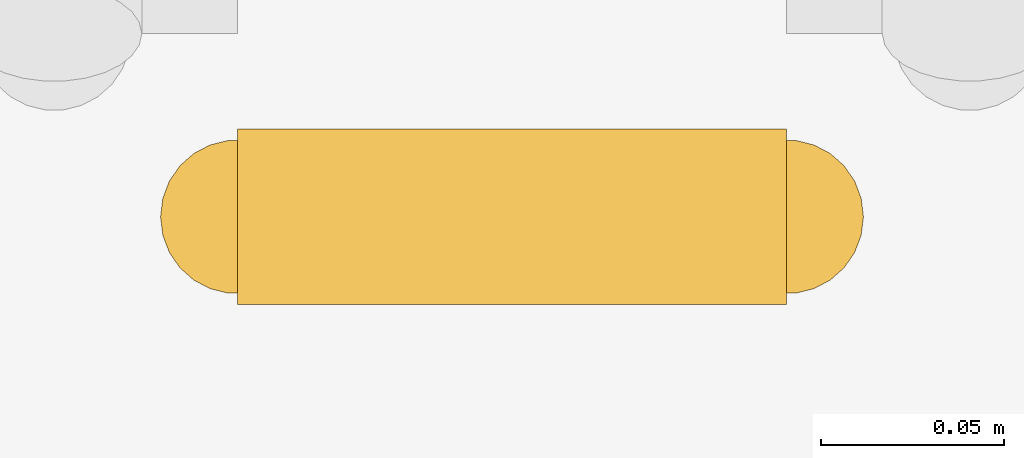
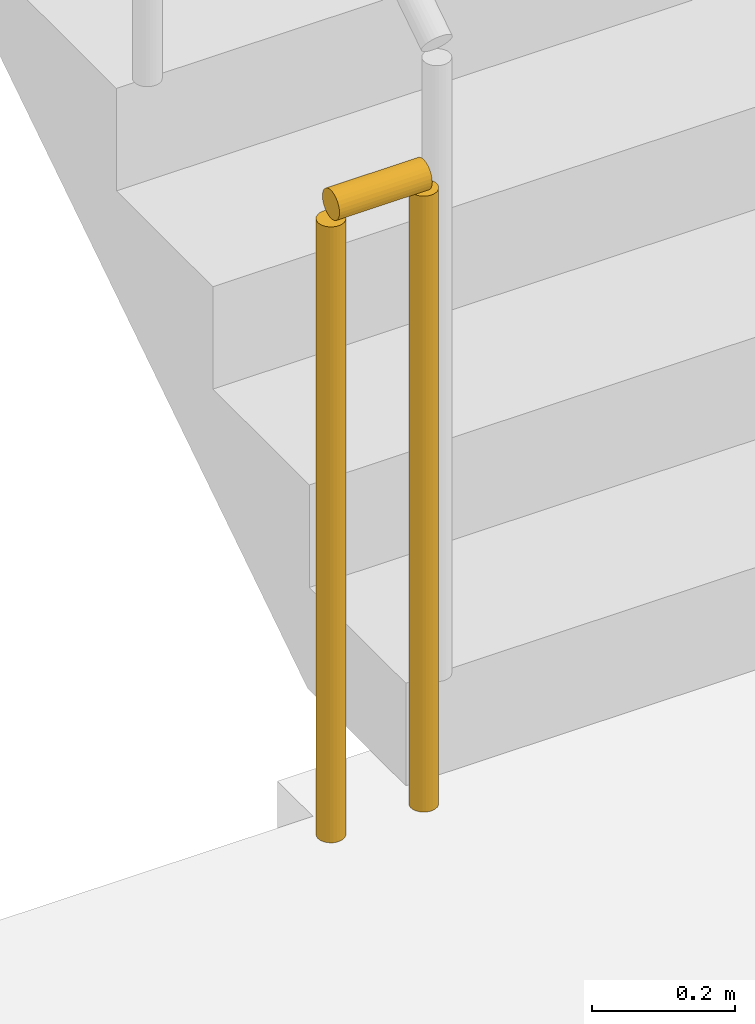
# One storey, part 17 of 20: 1 railing.
"""IFC4 building model written with IfcOpenShell, lengths in metres."""

import ifcopenshell
import ifcopenshell.guid

model = None  # the IFC model being written
_history = None  # IfcOwnerHistory: only IFC2X3 demands one
_inside = {}  # id of a spatial element -> (the spatial element, [elements in it])
_under = {}  # id of a project, library or spatial element -> (it, [spatial elements below it])
_declared = {}  # id of a project -> (the project, [libraries it declares])
_typed = {}  # id of a type object -> (the type object, [elements of that type])
_made_of = {}  # id of a material, layer set ... -> (it, [elements and type objects made of it])


def new_model(schema):
    """Start an empty IFC model of exactly this schema.

    Asked for "IFC4X3", IfcOpenShell would pick the latest addendum, in which some entities
    have other attributes; the version numbers below select the first issue.
    IFC2X3 requires an IfcOwnerHistory on every rooted entity: one is made here for all.
    """
    global model, _history
    if schema == "IFC4X3":
        model = ifcopenshell.file(schema_version=(4, 3, 0, 0))
    else:
        model = ifcopenshell.file(schema=schema)
    _inside.clear()
    _under.clear()
    _declared.clear()
    _typed.clear()
    _made_of.clear()
    _history = None
    if model.schema == "IFC2X3":
        org = make("IfcOrganization", Name="unknown")
        user = make(
            "IfcPersonAndOrganization",
            ThePerson=make("IfcPerson", FamilyName="unknown"),
            TheOrganization=org,
        )
        app = make(
            "IfcApplication",
            ApplicationDeveloper=org,
            Version="unknown",
            ApplicationFullName="unknown",
            ApplicationIdentifier="unknown",
        )
        _history = make(
            "IfcOwnerHistory",
            OwningUser=user,
            OwningApplication=app,
            ChangeAction="ADDED",
            CreationDate=0,
        )
    return model


def make(cls, **values):
    """One entity of the class cls with the attributes given. An attribute that is None is left unset."""
    return model.create_entity(
        cls, **{name: value for name, value in values.items() if value is not None}
    )


def rooted(cls, **values):
    """An entity with a GlobalId (a new one), such as an element, a storey or a relation."""
    return make(cls, GlobalId=ifcopenshell.guid.new(), OwnerHistory=_history, **values)


def si_unit(unit_type, name, prefix=None):
    """IfcSIUnit, for example si_unit("LENGTHUNIT", "METRE", prefix="MILLI")."""
    return make("IfcSIUnit", UnitType=unit_type, Prefix=prefix, Name=name)


def assignment(units):
    """IfcUnitAssignment: the units of a project."""
    return None if units is None else make("IfcUnitAssignment", Units=units)


def point(xyz):
    """IfcCartesianPoint."""
    return None if xyz is None else make("IfcCartesianPoint", Coordinates=xyz)


def direction(xyz):
    """IfcDirection."""
    return None if xyz is None else make("IfcDirection", DirectionRatios=xyz)


def frame(location, z_axis=None, x_axis=None):
    """IfcAxis2Placement3D, a coordinate frame: its origin and axes. An axis left out is left unset."""
    return make(
        "IfcAxis2Placement3D",
        Location=point(location),
        Axis=direction(z_axis),
        RefDirection=direction(x_axis),
    )


def frame_2d(location, x_axis=None):
    """IfcAxis2Placement2D, a coordinate frame in the plane: its origin and x axis."""
    return make(
        "IfcAxis2Placement2D", Location=point(location), RefDirection=direction(x_axis)
    )


def origin():
    """The frame at (0, 0, 0) with its axes left unset."""
    return frame((0.0, 0.0, 0.0))


def origin_2d():
    """The frame at (0, 0) in the plane with its x axis left unset."""
    return frame_2d((0.0, 0.0))


def place(relative_to, where):
    """IfcLocalPlacement: puts the frame where relative to a parent placement (None: the world)."""
    return make(
        "IfcLocalPlacement", PlacementRelTo=relative_to, RelativePlacement=where
    )


def context(
    kind, dimensions, precision=None, world=None, true_north=None, identifier=None
):
    """IfcGeometricRepresentationContext, for example the 3D "Model" context."""
    return make(
        "IfcGeometricRepresentationContext",
        ContextIdentifier=identifier,
        ContextType=kind,
        CoordinateSpaceDimension=dimensions,
        Precision=precision,
        WorldCoordinateSystem=world,
        TrueNorth=true_north,
    )


def subcontext(parent, identifier, kind, view, scale=None):
    """IfcGeometricRepresentationSubContext, for example "Body" below "Model"."""
    return make(
        "IfcGeometricRepresentationSubContext",
        ContextIdentifier=identifier,
        ContextType=kind,
        ParentContext=parent,
        TargetScale=scale,
        TargetView=view,
    )


def project(units=None, contexts=None):
    """IfcProject with its units and contexts."""
    return rooted(
        "IfcProject",
        Name="project",
        RepresentationContexts=contexts,
        UnitsInContext=assignment(units),
    )


def spatial(cls, under=None, at=None, **own):
    """A site, building, storey or space (cls), placed at a placement, below another one or the project."""
    s = rooted(cls, ObjectPlacement=at, **own)
    if under is not None:
        _under.setdefault(under.id(), (under, []))[1].append(s)
    return s


def profile(cls, at=None, kind="AREA", **sizes):
    """A parametric profile (cls). Its sizes go by their IFC names, for example OverallWidth=200.0."""
    return make(cls, ProfileType=kind, Position=at, **sizes)


def circle(**sizes):
    """IfcCircleProfileDef."""
    return profile("IfcCircleProfileDef", **sizes)


def extrude(swept, where, along, depth):
    """IfcExtrudedAreaSolid: the profile swept, set in the frame where, extruded along a direction by depth."""
    return make(
        "IfcExtrudedAreaSolid",
        SweptArea=swept,
        Position=where,
        ExtrudedDirection=direction(along),
        Depth=depth,
    )


def shape(context_of_items, identifier, shape_type, items):
    """IfcShapeRepresentation: the items that make up one representation, for example the "Body"."""
    return make(
        "IfcShapeRepresentation",
        ContextOfItems=context_of_items,
        RepresentationIdentifier=identifier,
        RepresentationType=shape_type,
        Items=items,
    )


def material(Name=None, Category=None):
    """IfcMaterial."""
    return make("IfcMaterial", Name=Name, Category=Category)


def made_of(thing, what):
    """Note that an element or type object is made of a material, layer set ...; save() writes the relation."""
    if what is not None:
        _made_of.setdefault(what.id(), (what, []))[1].append(thing)
    return thing


def type_object(cls, material=None, **own):
    """A type object (cls), such as IfcWallType, which elements share."""
    return made_of(rooted(cls, **own), material)


def element(
    cls,
    number,
    at=None,
    inside=None,
    cuts=None,
    type_object=None,
    material=None,
    context=None,
    identifier="Body",
    shape_type=None,
    held_by="IfcProductDefinitionShape",
    body=None,
    shapes=None,
    **own,
):
    """One element of the class cls, such as IfcWall. Its Tag is "e" and its number.

    at: its placement. inside: the storey or other place that contains it. cuts: it is an
    opening in that element (IfcRelVoidsElement). A single representation is given by context,
    identifier, shape_type and body (its items); several are given by shapes. held_by: the class
    of the entity that holds the representations. save() writes the other relations.
    """
    e = rooted(cls, Tag="e%d" % number, ObjectPlacement=at, **own)
    if body is not None:
        shapes = [shape(context, identifier, shape_type, body)]
    if shapes is not None:
        e.Representation = make(held_by, Representations=shapes)
    if inside is not None:
        _inside.setdefault(inside.id(), (inside, []))[1].append(e)
    if cuts is not None:
        rooted(
            "IfcRelVoidsElement", RelatingBuildingElement=cuts, RelatedOpeningElement=e
        )
    if type_object is not None:
        _typed.setdefault(type_object.id(), (type_object, []))[1].append(e)
    return made_of(e, material)


def aggregate(whole, parts):
    """IfcRelAggregates: a whole, such as a stair, and the parts it consists of."""
    return rooted("IfcRelAggregates", RelatingObject=whole, RelatedObjects=parts)


def save(model, path):
    """Write the relations noted so far, then the file.

    IfcRelAggregates (storeys below a building ...), IfcRelContainedInSpatialStructure (elements
    in a storey), IfcRelDefinesByType, IfcRelAssociatesMaterial and IfcRelDeclares: one each for
    every whole, place, type object, material and project.
    """
    for whole, parts in _under.values():
        aggregate(whole, parts)
    for where, things in _inside.values():
        rooted(
            "IfcRelContainedInSpatialStructure",
            RelatedElements=things,
            RelatingStructure=where,
        )
    for kind, things in _typed.values():
        rooted("IfcRelDefinesByType", RelatedObjects=things, RelatingType=kind)
    for what, things in _made_of.values():
        rooted("IfcRelAssociatesMaterial", RelatedObjects=things, RelatingMaterial=what)
    for by, libraries in _declared.values():
        rooted("IfcRelDeclares", RelatingContext=by, RelatedDefinitions=libraries)
    model.write(path)


model = new_model("IFC4")

# Units and contexts
model_context = context("Model", 3, precision=1e-05, world=origin(), true_north=direction((0.0, 1.0)))
body_context = subcontext(model_context, "Body", "Model", "MODEL_VIEW")
ifc_project = project(units=[si_unit("LENGTHUNIT", "METRE"), si_unit("AREAUNIT", "SQUARE_METRE"), si_unit("VOLUMEUNIT", "CUBIC_METRE"), si_unit("PLANEANGLEUNIT", "RADIAN"), si_unit("MASSUNIT", "GRAM", prefix="KILO")], contexts=[model_context])

# Site, building, storey
site_placement = place(None, origin())
site = spatial("IfcSite", under=ifc_project, at=site_placement, CompositionType="ELEMENT")
building_placement = place(site_placement, origin())
building = spatial("IfcBuilding", under=site, at=building_placement, Name="Saffron Iwan Residences", CompositionType="ELEMENT")
storey_placement = place(building_placement, frame((0.0, 0.0, 157.0)))
storey = spatial("IfcBuildingStorey", under=building, at=storey_placement, Name="L41", CompositionType="ELEMENT", Elevation=157.0)

# Railing
ifc_material = material(Name="Steel S355", Category="steel")
railing_type = type_object("IfcRailingType", Name="Stair guard 1100", PredefinedType="GUARDRAIL", material=ifc_material)
railing_placement = place(storey_placement, frame((69.699951171875, 67.800048828125, 0.0)))
element("IfcRailing", 1, at=railing_placement, inside=storey, type_object=railing_type, Name="L41 ST-E stair guard 2", PredefinedType="GUARDRAIL", context=body_context, shape_type="SweptSolid", body=[
    extrude(circle(Radius=0.02392578125, at=origin_2d()), frame((0.0, 0.0, 1.076171875), z_axis=(-1.0, 0.0, 0.0), x_axis=(0.0, -1.0, 0.0)), (0.0, 0.0, 1.0), 0.14990234375),
    extrude(circle(Radius=0.02099609375, at=origin_2d()), origin(), (0.0, 0.0, 1.0), 1.052001953125),
    extrude(circle(Radius=0.02099609375, at=origin_2d()), frame((-0.14990234375, 0.0, 0.0)), (0.0, 0.0, 1.0), 1.052001953125),
])

save(model, "model.ifc")
